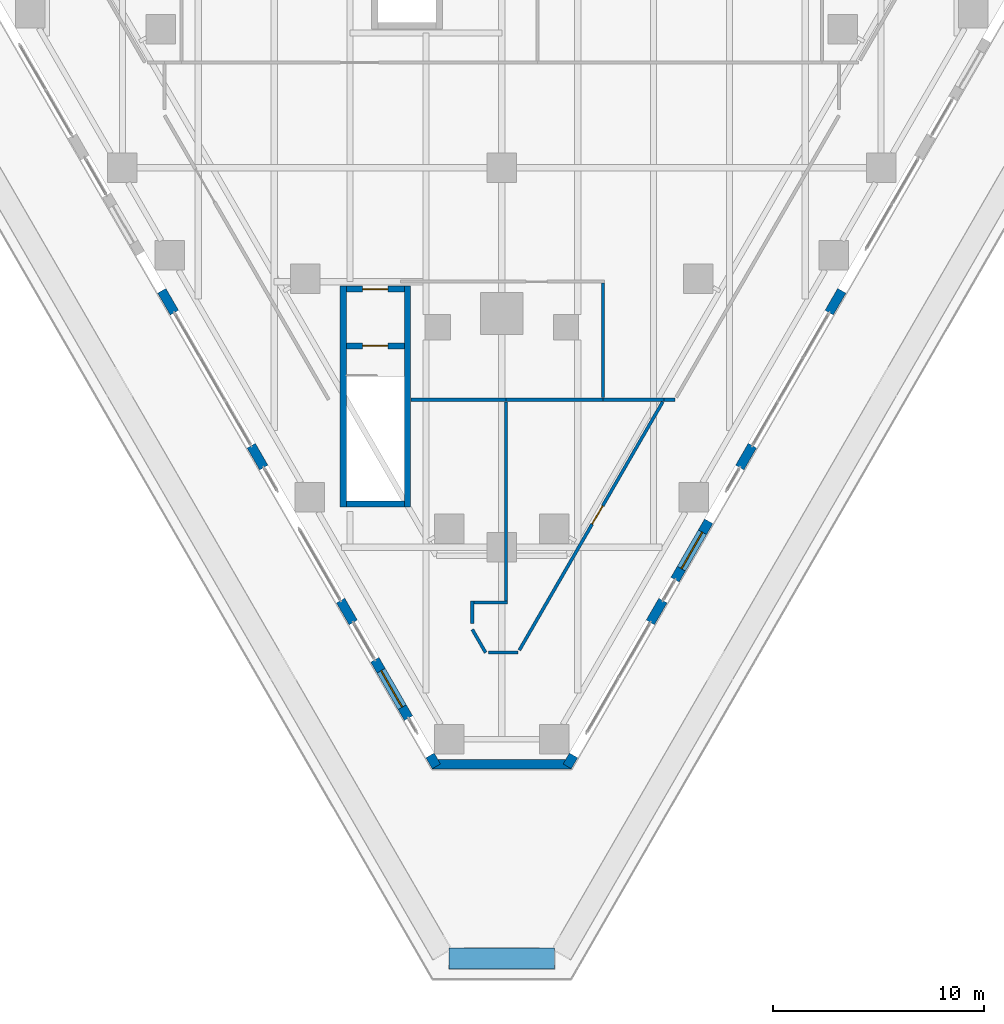
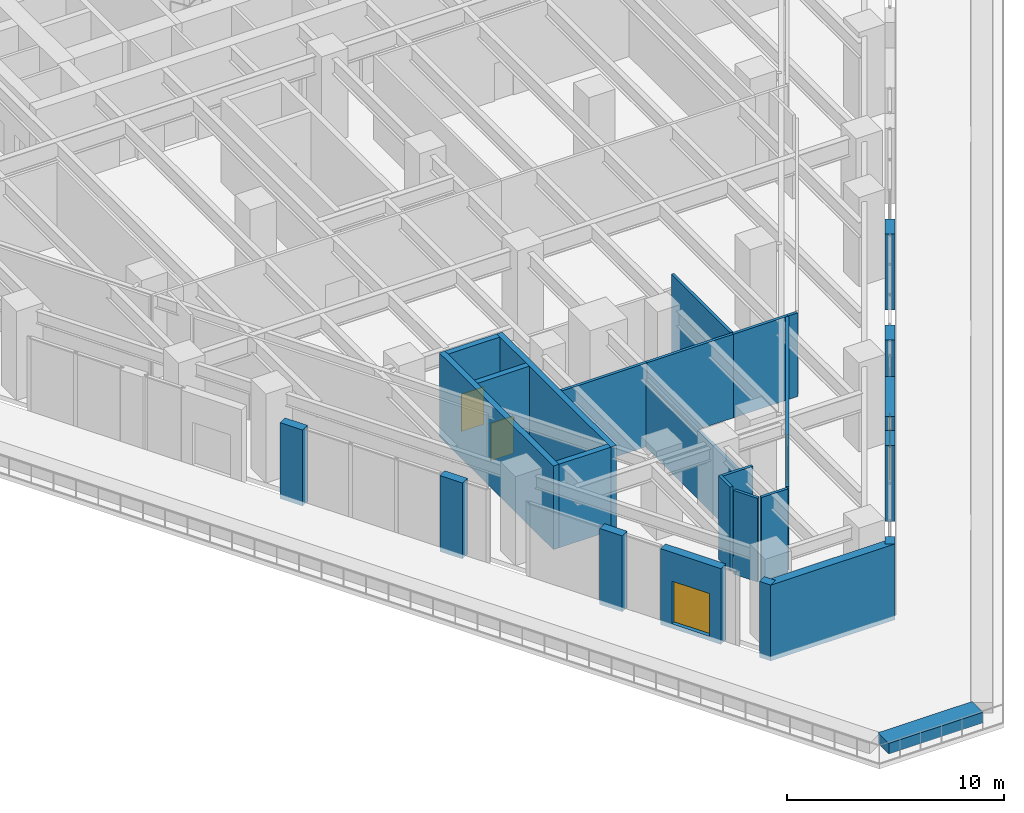
# One storey, part 21 of 31: 28 walls, 5 doors, 5 openings.
"""IFC4 building model written with IfcOpenShell, lengths in metres."""

import ifcopenshell
import ifcopenshell.guid

model = None  # the IFC model being written
_history = None  # IfcOwnerHistory: only IFC2X3 demands one
_inside = {}  # id of a spatial element -> (the spatial element, [elements in it])
_under = {}  # id of a project, library or spatial element -> (it, [spatial elements below it])
_declared = {}  # id of a project -> (the project, [libraries it declares])
_typed = {}  # id of a type object -> (the type object, [elements of that type])
_made_of = {}  # id of a material, layer set ... -> (it, [elements and type objects made of it])


def new_model(schema):
    """Start an empty IFC model of exactly this schema.

    Asked for "IFC4X3", IfcOpenShell would pick the latest addendum, in which some entities
    have other attributes; the version numbers below select the first issue.
    IFC2X3 requires an IfcOwnerHistory on every rooted entity: one is made here for all.
    """
    global model, _history
    if schema == "IFC4X3":
        model = ifcopenshell.file(schema_version=(4, 3, 0, 0))
    else:
        model = ifcopenshell.file(schema=schema)
    _inside.clear()
    _under.clear()
    _declared.clear()
    _typed.clear()
    _made_of.clear()
    _history = None
    if model.schema == "IFC2X3":
        org = make("IfcOrganization", Name="unknown")
        user = make(
            "IfcPersonAndOrganization",
            ThePerson=make("IfcPerson", FamilyName="unknown"),
            TheOrganization=org,
        )
        app = make(
            "IfcApplication",
            ApplicationDeveloper=org,
            Version="unknown",
            ApplicationFullName="unknown",
            ApplicationIdentifier="unknown",
        )
        _history = make(
            "IfcOwnerHistory",
            OwningUser=user,
            OwningApplication=app,
            ChangeAction="ADDED",
            CreationDate=0,
        )
    return model


def make(cls, **values):
    """One entity of the class cls with the attributes given. An attribute that is None is left unset."""
    return model.create_entity(
        cls, **{name: value for name, value in values.items() if value is not None}
    )


def rooted(cls, **values):
    """An entity with a GlobalId (a new one), such as an element, a storey or a relation."""
    return make(cls, GlobalId=ifcopenshell.guid.new(), OwnerHistory=_history, **values)


def si_unit(unit_type, name, prefix=None):
    """IfcSIUnit, for example si_unit("LENGTHUNIT", "METRE", prefix="MILLI")."""
    return make("IfcSIUnit", UnitType=unit_type, Prefix=prefix, Name=name)


def assignment(units):
    """IfcUnitAssignment: the units of a project."""
    return None if units is None else make("IfcUnitAssignment", Units=units)


def point(xyz):
    """IfcCartesianPoint."""
    return None if xyz is None else make("IfcCartesianPoint", Coordinates=xyz)


def direction(xyz):
    """IfcDirection."""
    return None if xyz is None else make("IfcDirection", DirectionRatios=xyz)


def frame(location, z_axis=None, x_axis=None):
    """IfcAxis2Placement3D, a coordinate frame: its origin and axes. An axis left out is left unset."""
    return make(
        "IfcAxis2Placement3D",
        Location=point(location),
        Axis=direction(z_axis),
        RefDirection=direction(x_axis),
    )


def frame_2d(location, x_axis=None):
    """IfcAxis2Placement2D, a coordinate frame in the plane: its origin and x axis."""
    return make(
        "IfcAxis2Placement2D", Location=point(location), RefDirection=direction(x_axis)
    )


def origin():
    """The frame at (0, 0, 0) with its axes left unset."""
    return frame((0.0, 0.0, 0.0))


def place(relative_to, where):
    """IfcLocalPlacement: puts the frame where relative to a parent placement (None: the world)."""
    return make(
        "IfcLocalPlacement", PlacementRelTo=relative_to, RelativePlacement=where
    )


def context(
    kind, dimensions, precision=None, world=None, true_north=None, identifier=None
):
    """IfcGeometricRepresentationContext, for example the 3D "Model" context."""
    return make(
        "IfcGeometricRepresentationContext",
        ContextIdentifier=identifier,
        ContextType=kind,
        CoordinateSpaceDimension=dimensions,
        Precision=precision,
        WorldCoordinateSystem=world,
        TrueNorth=true_north,
    )


def subcontext(parent, identifier, kind, view, scale=None):
    """IfcGeometricRepresentationSubContext, for example "Body" below "Model"."""
    return make(
        "IfcGeometricRepresentationSubContext",
        ContextIdentifier=identifier,
        ContextType=kind,
        ParentContext=parent,
        TargetScale=scale,
        TargetView=view,
    )


def project(units=None, contexts=None):
    """IfcProject with its units and contexts."""
    return rooted(
        "IfcProject",
        Name="project",
        RepresentationContexts=contexts,
        UnitsInContext=assignment(units),
    )


def spatial(cls, under=None, at=None, **own):
    """A site, building, storey or space (cls), placed at a placement, below another one or the project."""
    s = rooted(cls, ObjectPlacement=at, **own)
    if under is not None:
        _under.setdefault(under.id(), (under, []))[1].append(s)
    return s


def polyline(points):
    """IfcPolyline through the points."""
    return make("IfcPolyline", Points=[point(p) for p in points])


def profile(cls, at=None, kind="AREA", **sizes):
    """A parametric profile (cls). Its sizes go by their IFC names, for example OverallWidth=200.0."""
    return make(cls, ProfileType=kind, Position=at, **sizes)


def rectangle(**sizes):
    """IfcRectangleProfileDef."""
    return profile("IfcRectangleProfileDef", **sizes)


def outline(outer, holes=None, kind="AREA"):
    """IfcArbitraryClosedProfileDef: a profile drawn as a closed curve; with holes, ...WithVoids."""
    if holes is None:
        return make("IfcArbitraryClosedProfileDef", ProfileType=kind, OuterCurve=outer)
    return make(
        "IfcArbitraryProfileDefWithVoids",
        ProfileType=kind,
        OuterCurve=outer,
        InnerCurves=holes,
    )


def extrude(swept, where, along, depth):
    """IfcExtrudedAreaSolid: the profile swept, set in the frame where, extruded along a direction by depth."""
    return make(
        "IfcExtrudedAreaSolid",
        SweptArea=swept,
        Position=where,
        ExtrudedDirection=direction(along),
        Depth=depth,
    )


def shape(context_of_items, identifier, shape_type, items):
    """IfcShapeRepresentation: the items that make up one representation, for example the "Body"."""
    return make(
        "IfcShapeRepresentation",
        ContextOfItems=context_of_items,
        RepresentationIdentifier=identifier,
        RepresentationType=shape_type,
        Items=items,
    )


def material(Name=None, Category=None):
    """IfcMaterial."""
    return make("IfcMaterial", Name=Name, Category=Category)


def layer(
    of_material, thickness, ventilated=None, Name=None, Category=None, Priority=None
):
    """IfcMaterialLayer: one layer of a wall or slab, of a material (None: an air gap)."""
    return make(
        "IfcMaterialLayer",
        Material=of_material,
        LayerThickness=thickness,
        IsVentilated=ventilated,
        Name=Name,
        Category=Category,
        Priority=Priority,
    )


def layer_set(layers, Name=None):
    """IfcMaterialLayerSet."""
    return make("IfcMaterialLayerSet", MaterialLayers=layers, LayerSetName=Name)


def made_of(thing, what):
    """Note that an element or type object is made of a material, layer set ...; save() writes the relation."""
    if what is not None:
        _made_of.setdefault(what.id(), (what, []))[1].append(thing)
    return thing


def type_object(cls, material=None, **own):
    """A type object (cls), such as IfcWallType, which elements share."""
    return made_of(rooted(cls, **own), material)


def element(
    cls,
    number,
    at=None,
    inside=None,
    cuts=None,
    type_object=None,
    material=None,
    context=None,
    identifier="Body",
    shape_type=None,
    held_by="IfcProductDefinitionShape",
    body=None,
    shapes=None,
    **own,
):
    """One element of the class cls, such as IfcWall. Its Tag is "e" and its number.

    at: its placement. inside: the storey or other place that contains it. cuts: it is an
    opening in that element (IfcRelVoidsElement). A single representation is given by context,
    identifier, shape_type and body (its items); several are given by shapes. held_by: the class
    of the entity that holds the representations. save() writes the other relations.
    """
    e = rooted(cls, Tag="e%d" % number, ObjectPlacement=at, **own)
    if body is not None:
        shapes = [shape(context, identifier, shape_type, body)]
    if shapes is not None:
        e.Representation = make(held_by, Representations=shapes)
    if inside is not None:
        _inside.setdefault(inside.id(), (inside, []))[1].append(e)
    if cuts is not None:
        rooted(
            "IfcRelVoidsElement", RelatingBuildingElement=cuts, RelatedOpeningElement=e
        )
    if type_object is not None:
        _typed.setdefault(type_object.id(), (type_object, []))[1].append(e)
    return made_of(e, material)


def fill(opening, filler):
    """IfcRelFillsElement: the door or window that sits in an opening."""
    return rooted(
        "IfcRelFillsElement",
        RelatingOpeningElement=opening,
        RelatedBuildingElement=filler,
    )


def aggregate(whole, parts):
    """IfcRelAggregates: a whole, such as a stair, and the parts it consists of."""
    return rooted("IfcRelAggregates", RelatingObject=whole, RelatedObjects=parts)


def save(model, path):
    """Write the relations noted so far, then the file.

    IfcRelAggregates (storeys below a building ...), IfcRelContainedInSpatialStructure (elements
    in a storey), IfcRelDefinesByType, IfcRelAssociatesMaterial and IfcRelDeclares: one each for
    every whole, place, type object, material and project.
    """
    for whole, parts in _under.values():
        aggregate(whole, parts)
    for where, things in _inside.values():
        rooted(
            "IfcRelContainedInSpatialStructure",
            RelatedElements=things,
            RelatingStructure=where,
        )
    for kind, things in _typed.values():
        rooted("IfcRelDefinesByType", RelatedObjects=things, RelatingType=kind)
    for what, things in _made_of.values():
        rooted("IfcRelAssociatesMaterial", RelatedObjects=things, RelatingMaterial=what)
    for by, libraries in _declared.values():
        rooted("IfcRelDeclares", RelatingContext=by, RelatedDefinitions=libraries)
    model.write(path)


model = new_model("IFC4")

# Units and contexts
model_context = context("Model", 3, precision=1e-05, world=origin(), true_north=direction((0.0, 1.0)))
body_context = subcontext(model_context, "Body", "Model", "MODEL_VIEW")
ifc_project = project(units=[si_unit("LENGTHUNIT", "METRE"), si_unit("AREAUNIT", "SQUARE_METRE"), si_unit("VOLUMEUNIT", "CUBIC_METRE"), si_unit("PLANEANGLEUNIT", "RADIAN"), si_unit("MASSUNIT", "GRAM", prefix="KILO")], contexts=[model_context])

# Site, building, storey
site_placement = place(None, origin())
site = spatial("IfcSite", under=ifc_project, at=site_placement, CompositionType="ELEMENT")
building_placement = place(site_placement, origin())
building = spatial("IfcBuilding", under=site, at=building_placement, Name="Aloe Facet Convention Tower", CompositionType="ELEMENT")
storey_placement = place(building_placement, frame((0.0, 0.0, 25.0)))
storey = spatial("IfcBuildingStorey", under=building, at=storey_placement, Name="L04", CompositionType="ELEMENT", Elevation=25.0)

# Walls
ifc_material_1 = material(Name="Concrete C50/60", Category="concrete")
ifc_layer_1 = layer(ifc_material_1, 0.300048828125)
ifc_layer_set_1 = layer_set([ifc_layer_1], Name="CR-W-RC300-C5060")
wall_type_1 = type_object("IfcWallType", Name="CR-W-RC300-C5060", PredefinedType="SOLIDWALL", material=ifc_layer_set_1)
for number, where, z_axis, x_axis, name in (
    (1, (72.47509765625, 82.89990234375, 0.0), (0.0, 0.0, 1.0), (0.0, 1.0, 0.0), "Exit stair wall L04-01"),
    (2, (75.52490234375, 82.89990234375, 0.0), (0.0, 0.0, 1.0), (0.0, 1.0, 0.0), "Exit stair wall L04-02"),
):
    element("IfcWall", number, at=place(storey_placement, frame(where, z_axis=z_axis, x_axis=x_axis)), inside=storey, type_object=wall_type_1, Name=name, PredefinedType="SOLIDWALL", context=body_context, shape_type="SweptSolid", body=[
        extrude(rectangle(XDim=10.5, YDim=0.300048828125, at=frame_2d((5.25, 0.0))), origin(), (0.0, 0.0, 1.0), 4.699951171875),
    ])
wall_1_placement = place(storey_placement, frame((72.625, 83.050048828125, 0.0), z_axis=(0.0, 0.0, 1.0), x_axis=(1.0, 0.0, 0.0)))
element("IfcWall", 3, at=wall_1_placement, inside=storey, type_object=wall_type_1, Name="Exit stair wall L04-03", PredefinedType="SOLIDWALL", context=body_context, shape_type="SweptSolid", body=[
    extrude(rectangle(XDim=2.75, YDim=0.300048828125, at=frame_2d((1.375, 0.0))), origin(), (0.0, 0.0, 1.0), 4.699951171875),
])

# Wall, opening, door
wall_2_placement = place(storey_placement, frame((72.625, 90.550048828125, 0.0), z_axis=(0.0, 0.0, 1.0), x_axis=(1.0, 0.0, 0.0)))
wall_2 = element("IfcWall", 4, at=wall_2_placement, inside=storey, type_object=wall_type_1, Name="Exit stair wall L04-04", PredefinedType="SOLIDWALL", context=body_context, shape_type="SweptSolid", body=[
    extrude(rectangle(XDim=2.75, YDim=0.300048828125, at=frame_2d((1.375, 0.0))), origin(), (0.0, 0.0, 1.0), 4.699951171875),
])
opening_1_placement = place(wall_2_placement, frame((0.77490234375, 0.0, 0.0)))
opening_1 = element("IfcOpeningElement", 5, at=opening_1_placement, cuts=wall_2, Name="Opening L04-ST4-01", PredefinedType="OPENING", context=body_context, shape_type="SweptSolid", body=[
    extrude(rectangle(XDim=1.199951171875, YDim=2.10009765625, at=frame_2d((0.60009765625, 1.050048828125))), frame((0.0, 0.16015625, 0.0), z_axis=(0.0, -1.0, 0.0), x_axis=(1.0, 0.0, 0.0)), (0.0, 0.0, 1.0), 0.320068359375),
])
ifc_material_2 = material(Name="Steel fire-resisting door set FD120", Category="steel")
door_type_1 = type_object("IfcDoorType", Name="CR-D-STAIR-1200-FD120-SLEFT", OperationType="SINGLE_SWING_LEFT", PredefinedType="DOOR", material=ifc_material_2)
door_1_placement = place(opening_1_placement, origin())
door_1 = element("IfcDoor", 6, at=door_1_placement, inside=storey, type_object=door_type_1, Name="Stair door L04-ST4-01", OperationType="SINGLE_SWING_LEFT", OverallHeight=2.10009765625, OverallWidth=1.199951171875, PredefinedType="DOOR", context=body_context, shape_type="SweptSolid", body=[
    extrude(rectangle(XDim=1.199951171875, YDim=2.10009765625, at=frame_2d((0.60009765625, 1.050048828125))), frame((0.0, 0.02490234375, 0.0), z_axis=(0.0, -1.0, 0.0), x_axis=(1.0, 0.0, 0.0)), (0.0, 0.0, 1.0), 0.050048828125),
])
fill(opening_1, door_1)

wall_3_placement = place(storey_placement, frame((72.625, 93.25, 0.0), z_axis=(0.0, 0.0, 1.0), x_axis=(1.0, 0.0, 0.0)))
wall_3 = element("IfcWall", 7, at=wall_3_placement, inside=storey, type_object=wall_type_1, Name="Exit stair wall L04-05", PredefinedType="SOLIDWALL", context=body_context, shape_type="SweptSolid", body=[
    extrude(rectangle(XDim=2.75, YDim=0.300048828125, at=frame_2d((1.375, 0.0))), origin(), (0.0, 0.0, 1.0), 4.699951171875),
])
opening_2_placement = place(wall_3_placement, frame((0.77490234375, 0.0, 0.0)))
opening_2 = element("IfcOpeningElement", 8, at=opening_2_placement, cuts=wall_3, Name="Opening L04-ST4-02", PredefinedType="OPENING", context=body_context, shape_type="SweptSolid", body=[
    extrude(rectangle(XDim=1.199951171875, YDim=2.10009765625, at=frame_2d((0.60009765625, 1.050048828125))), frame((0.0, 0.16015625, 0.0), z_axis=(0.0, -1.0, 0.0), x_axis=(1.0, 0.0, 0.0)), (0.0, 0.0, 1.0), 0.320068359375),
])
ifc_material_3 = material(Name="Steel fire-resisting door set FD60", Category="steel")
door_type_2 = type_object("IfcDoorType", Name="CR-D-EXIT-1200-FD60-SRIGHT", OperationType="SINGLE_SWING_RIGHT", PredefinedType="DOOR", material=ifc_material_3)
door_2_placement = place(opening_2_placement, origin())
door_2 = element("IfcDoor", 9, at=door_2_placement, inside=storey, type_object=door_type_2, Name="Stair lobby door L04-ST4-02", OperationType="SINGLE_SWING_RIGHT", OverallHeight=2.10009765625, OverallWidth=1.199951171875, PredefinedType="DOOR", context=body_context, shape_type="SweptSolid", body=[
    extrude(rectangle(XDim=1.199951171875, YDim=2.10009765625, at=frame_2d((0.60009765625, 1.050048828125))), frame((0.0, 0.02490234375, 0.0), z_axis=(0.0, -1.0, 0.0), x_axis=(1.0, 0.0, 0.0)), (0.0, 0.0, 1.0), 0.050048828125),
])
fill(opening_2, door_2)

# Walls
ifc_material_4 = material(Name="Precast concrete C40/50", Category="concrete")
ifc_layer_2 = layer(ifc_material_4, 1.0)
ifc_layer_set_2 = layer_set([ifc_layer_2], Name="EV-PLANTER-BED")
wall_type_2 = type_object("IfcWallType", Name="EV-PLANTER-BED", PredefinedType="STANDARD", material=ifc_layer_set_2)
wall_4_placement = place(storey_placement, frame((82.5, 61.486328125, 0.0), z_axis=(0.0, 0.0, 1.0), x_axis=(-1.0, 0.0, 0.0)))
element("IfcWall", 10, at=wall_4_placement, inside=storey, type_object=wall_type_2, Name="PLANTER PT-L04-1-3", PredefinedType="STANDARD", context=body_context, shape_type="SweptSolid", body=[
    extrude(rectangle(XDim=5.0, YDim=1.0, at=frame_2d((2.5, 0.0))), origin(), (0.0, 0.0, 1.0), 0.60009765625),
])
ifc_material_5 = material(Name="Precast concrete C40/50", Category="concrete")
ifc_layer_3 = layer(ifc_material_5, 0.449951171875)
ifc_layer_set_3 = layer_set([ifc_layer_3], Name="EV-WALL-PIER")
wall_type_3 = type_object("IfcWallType", Name="EV-WALL-PIER", PredefinedType="SOLIDWALL", material=ifc_layer_set_3)
wall_5_placement = place(storey_placement, frame((0.0, 0.0, -0.25)))
element("IfcWall", 11, at=wall_5_placement, inside=storey, type_object=wall_type_3, Name="EP-L04-B", PredefinedType="SOLIDWALL", context=body_context, shape_type="SweptSolid", body=[
    extrude(outline(polyline([(76.699951171875, 70.486328125), (77.089599609375, 70.711181640625), (76.959716796875, 70.936279296875), (83.040283203125, 70.936279296875), (82.910400390625, 70.711181640625), (83.300048828125, 70.486328125), (76.699951171875, 70.486328125)])), origin(), (0.0, 0.0, 1.0), 4.262451171875),
])
ifc_material_6 = material(Name="Precast concrete C40/50", Category="concrete")
ifc_layer_4 = layer(ifc_material_6, 0.449951171875)
ifc_layer_set_4 = layer_set([ifc_layer_4], Name="EV-WALL-STONE")
wall_type_4 = type_object("IfcWallType", Name="EV-WALL-STONE", PredefinedType="SOLIDWALL", material=ifc_layer_set_4)
wall_6_placement = place(storey_placement, frame((63.86474609375, 93.167724609375, -0.25), z_axis=(0.0, 0.0, 1.0), x_axis=(0.500033551112, -0.866006032174, 0.0)))
element("IfcWall", 12, at=wall_6_placement, inside=storey, type_object=wall_type_4, Name="PW-L04-W11", PredefinedType="SOLIDWALL", context=body_context, shape_type="SweptSolid", body=[
    extrude(rectangle(XDim=1.2001953125, YDim=0.449951171875, at=frame_2d((0.60009765625, 0.0))), origin(), (0.0, 0.0, 1.0), 4.262451171875),
])
for number, where, z_axis, x_axis, name in (
    (13, (68.108154296875, 85.81787109375, -0.25), (0.0, 0.0, 1.0), (0.499880961361, -0.866094119867, 0.0), "PW-L04-W13"),
    (14, (72.3515625, 78.46826171875, -0.25), (0.0, 0.0, 1.0), (0.499880961361, -0.866094119867, 0.0), "PW-L04-W15"),
):
    element("IfcWall", number, at=place(storey_placement, frame(where, z_axis=z_axis, x_axis=x_axis)), inside=storey, type_object=wall_type_4, Name=name, PredefinedType="SOLIDWALL", context=body_context, shape_type="SweptSolid", body=[
        extrude(rectangle(XDim=1.199951171875, YDim=0.449951171875, at=frame_2d((0.60009765625, 0.0))), origin(), (0.0, 0.0, 1.0), 4.262451171875),
    ])

# Wall, opening, door
wall_7_placement = place(storey_placement, frame((73.97314453125, 75.659423828125, -0.25), z_axis=(0.0, 0.0, 1.0), x_axis=(0.499995408039, -0.866028054938, 0.0)))
wall_7 = element("IfcWall", 15, at=wall_7_placement, inside=storey, type_object=wall_type_4, Name="PW-L04-W16", PredefinedType="SOLIDWALL", context=body_context, shape_type="SweptSolid", body=[
    extrude(rectangle(XDim=3.2001953125, YDim=0.449951171875, at=frame_2d((1.60009765625, 0.0))), origin(), (0.0, 0.0, 1.0), 4.262451171875),
])
opening_3_placement = place(wall_7_placement, frame((0.60009765625, 0.0, 0.25)))
opening_3 = element("IfcOpeningElement", 16, at=opening_3_placement, cuts=wall_7, Name="Opening D-L04-W16", PredefinedType="OPENING", context=body_context, shape_type="SweptSolid", body=[
    extrude(rectangle(XDim=2.0, YDim=2.39990234375, at=frame_2d((1.0, 1.199951171875))), frame((0.0, 0.23486328125, 0.0), z_axis=(0.0, -1.0, 0.0), x_axis=(1.0, 0.0, 0.0)), (0.0, 0.0, 1.0), 0.469970703125),
])
ifc_material_7 = material(Name="Aluminium frame, clear double glazing", Category="aluminium")
door_type_3 = type_object("IfcDoorType", Name="EV-DOOR-HALL", OperationType="DOUBLE_DOOR_SINGLE_SWING", PredefinedType="DOOR", material=ifc_material_7)
door_3_placement = place(opening_3_placement, origin())
door_3 = element("IfcDoor", 17, at=door_3_placement, inside=storey, type_object=door_type_3, Name="D-L04-W16", OperationType="DOUBLE_DOOR_SINGLE_SWING", OverallHeight=2.39990234375, OverallWidth=2.0, PredefinedType="DOOR", context=body_context, shape_type="SweptSolid", body=[
    extrude(rectangle(XDim=2.0, YDim=2.39990234375, at=frame_2d((1.0, 1.199951171875))), frame((0.0, 0.02490234375, 0.0), z_axis=(0.0, -1.0, 0.0), x_axis=(1.0, 0.0, 0.0)), (0.0, 0.0, 1.0), 0.050048828125),
])
fill(opening_3, door_3)

# Walls
for number, where, z_axis, x_axis, name in (
    (18, (76.594970703125, 71.118408203125, -0.25), (0.0, 0.0, 1.0), (0.499816412211, -0.866131372301, 0.0), "PW-L04-W17"),
    (19, (83.105224609375, 70.598876953125, -0.25), (0.0, 0.0, 1.0), (0.499816412211, 0.866131372301, 0.0), "PW-L04-E01"),
):
    element("IfcWall", number, at=place(storey_placement, frame(where, z_axis=z_axis, x_axis=x_axis)), inside=storey, type_object=wall_type_4, Name=name, PredefinedType="SOLIDWALL", context=body_context, shape_type="SweptSolid", body=[
        extrude(rectangle(XDim=0.599853515625, YDim=0.449951171875, at=frame_2d((0.2998046875, 0.0))), origin(), (0.0, 0.0, 1.0), 4.262451171875),
    ])
wall_8_placement = place(storey_placement, frame((87.048583984375, 77.428955078125, -0.25), z_axis=(0.0, 0.0, 1.0), x_axis=(0.499880961361, 0.866094119867, 0.0)))
element("IfcWall", 20, at=wall_8_placement, inside=storey, type_object=wall_type_4, Name="PW-L04-E03", PredefinedType="SOLIDWALL", context=body_context, shape_type="SweptSolid", body=[
    extrude(rectangle(XDim=1.199951171875, YDim=0.449951171875, at=frame_2d((0.60009765625, 0.0))), origin(), (0.0, 0.0, 1.0), 4.262451171875),
])

# Wall, opening, door
wall_9_placement = place(storey_placement, frame((88.22021484375, 79.458251953125, -0.25), z_axis=(0.0, 0.0, 1.0), x_axis=(0.499995408039, 0.866028054938, 0.0)))
wall_9 = element("IfcWall", 21, at=wall_9_placement, inside=storey, type_object=wall_type_4, Name="PW-L04-E04", PredefinedType="SOLIDWALL", context=body_context, shape_type="SweptSolid", body=[
    extrude(rectangle(XDim=3.2001953125, YDim=0.449951171875, at=frame_2d((1.60009765625, 0.0))), origin(), (0.0, 0.0, 1.0), 4.262451171875),
])
opening_4_placement = place(wall_9_placement, frame((0.60009765625, 0.0, 0.25)))
opening_4 = element("IfcOpeningElement", 22, at=opening_4_placement, cuts=wall_9, Name="Opening D-L04-E04", PredefinedType="OPENING", context=body_context, shape_type="SweptSolid", body=[
    extrude(rectangle(XDim=2.0, YDim=2.39990234375, at=frame_2d((1.0, 1.199951171875))), frame((0.0, 0.23486328125, 0.0), z_axis=(0.0, -1.0, 0.0), x_axis=(1.0, 0.0, 0.0)), (0.0, 0.0, 1.0), 0.469970703125),
])
door_4_placement = place(opening_4_placement, origin())
door_4 = element("IfcDoor", 23, at=door_4_placement, inside=storey, type_object=door_type_3, Name="D-L04-E04", OperationType="DOUBLE_DOOR_SINGLE_SWING", OverallHeight=2.39990234375, OverallWidth=2.0, PredefinedType="DOOR", context=body_context, shape_type="SweptSolid", body=[
    extrude(rectangle(XDim=2.0, YDim=2.39990234375, at=frame_2d((1.0, 1.199951171875))), frame((0.0, 0.02490234375, 0.0), z_axis=(0.0, -1.0, 0.0), x_axis=(1.0, 0.0, 0.0)), (0.0, 0.0, 1.0), 0.050048828125),
])
fill(opening_4, door_4)

# Walls
wall_10_placement = place(storey_placement, frame((91.2919921875, 84.778564453125, -0.25), z_axis=(0.0, 0.0, 1.0), x_axis=(0.499880961361, 0.866094119867, 0.0)))
element("IfcWall", 24, at=wall_10_placement, inside=storey, type_object=wall_type_4, Name="PW-L04-E05", PredefinedType="SOLIDWALL", context=body_context, shape_type="SweptSolid", body=[
    extrude(rectangle(XDim=1.199951171875, YDim=0.449951171875, at=frame_2d((0.60009765625, 0.0))), origin(), (0.0, 0.0, 1.0), 4.262451171875),
])
wall_11_placement = place(storey_placement, frame((95.53515625, 92.12841796875, -0.25), z_axis=(0.0, 0.0, 1.0), x_axis=(0.500033551112, 0.866006032174, 0.0)))
element("IfcWall", 25, at=wall_11_placement, inside=storey, type_object=wall_type_4, Name="PW-L04-E07", PredefinedType="SOLIDWALL", context=body_context, shape_type="SweptSolid", body=[
    extrude(rectangle(XDim=1.2001953125, YDim=0.449951171875, at=frame_2d((0.60009765625, 0.0))), origin(), (0.0, 0.0, 1.0), 4.262451171875),
])
ifc_material_8 = material(Name="Gypsum board partition on steel studs, double layer", Category="steel")
ifc_layer_5 = layer(ifc_material_8, 0.14990234375)
ifc_layer_set_5 = layer_set([ifc_layer_5], Name="IN-POD-W-CORR")
wall_type_5 = type_object("IfcWallType", Name="IN-POD-W-CORR", PredefinedType="PARTITIONING", material=ifc_layer_set_5)
wall_12_placement = place(storey_placement, frame((78.60009765625, 77.095458984375, 0.0), z_axis=(0.0, 0.0, 1.0), x_axis=(0.49991738717, -0.86607309507, 0.0)))
element("IfcWall", 26, at=wall_12_placement, inside=storey, type_object=wall_type_5, Name="Partition L04-W001", PredefinedType="PARTITIONING", context=body_context, shape_type="SweptSolid", body=[
    extrude(rectangle(XDim=1.264892578125, YDim=0.14990234375, at=frame_2d((0.63232421875, 0.0))), origin(), (0.0, 0.0, 1.0), 4.699951171875),
])
wall_13_placement = place(storey_placement, frame((79.3623046875, 76.0, 0.0), z_axis=(0.0, 0.0, 1.0), x_axis=(1.0, 0.0, 0.0)))
element("IfcWall", 27, at=wall_13_placement, inside=storey, type_object=wall_type_5, Name="Partition L04-W002", PredefinedType="PARTITIONING", context=body_context, shape_type="SweptSolid", body=[
    extrude(rectangle(XDim=1.4052734375, YDim=0.14990234375, at=frame_2d((0.70263671875, 0.0))), origin(), (0.0, 0.0, 1.0), 4.699951171875),
])
wall_14_placement = place(storey_placement, frame((78.60009765625, 77.375244140625, 0.0), z_axis=(0.0, 0.0, 1.0), x_axis=(0.0, 1.0, 0.0)))
element("IfcWall", 28, at=wall_14_placement, inside=storey, type_object=wall_type_5, Name="Partition L04-W003", PredefinedType="PARTITIONING", context=body_context, shape_type="SweptSolid", body=[
    extrude(rectangle(XDim=1.079833984375, YDim=0.14990234375, at=frame_2d((0.5400390625, 0.0))), origin(), (0.0, 0.0, 1.0), 4.699951171875),
])
wall_15_placement = place(storey_placement, frame((78.675048828125, 78.3798828125, 0.0), z_axis=(0.0, 0.0, 1.0), x_axis=(1.0, 0.0, 0.0)))
element("IfcWall", 29, at=wall_15_placement, inside=storey, type_object=wall_type_5, Name="Partition L04-W004", PredefinedType="PARTITIONING", context=body_context, shape_type="SweptSolid", body=[
    extrude(rectangle(XDim=1.594970703125, YDim=0.14990234375, at=frame_2d((0.79736328125, 0.0))), origin(), (0.0, 0.0, 1.0), 4.699951171875),
])
wall_16_placement = place(storey_placement, frame((80.195068359375, 78.455078125, 0.0), z_axis=(0.0, 0.0, 1.0), x_axis=(0.0, 1.0, 0.0)))
element("IfcWall", 30, at=wall_16_placement, inside=storey, type_object=wall_type_5, Name="Partition L04-W005", PredefinedType="PARTITIONING", context=body_context, shape_type="SweptSolid", body=[
    extrude(rectangle(XDim=9.44482421875, YDim=0.14990234375, at=frame_2d((4.722412109375, 0.0))), origin(), (0.0, 0.0, 1.0), 3.839111328125),
])
wall_17_placement = place(storey_placement, frame((80.195068359375, 88.0, 0.0), z_axis=(0.0, 0.0, 1.0), x_axis=(1.0, 0.0, 0.0)))
element("IfcWall", 31, at=wall_17_placement, inside=storey, type_object=wall_type_5, Name="Partition L04-W007", PredefinedType="PARTITIONING", context=body_context, shape_type="SweptSolid", body=[
    extrude(rectangle(XDim=4.60498046875, YDim=0.14990234375, at=frame_2d((2.302490234375, 0.0))), origin(), (0.0, 0.0, 1.0), 4.699951171875),
])
wall_18_placement = place(storey_placement, frame((75.695068359375, 88.0, 0.0), z_axis=(0.0, 0.0, 1.0), x_axis=(1.0, 0.0, 0.0)))
element("IfcWall", 32, at=wall_18_placement, inside=storey, type_object=wall_type_5, Name="Partition L04-W008", PredefinedType="PARTITIONING", context=body_context, shape_type="SweptSolid", body=[
    extrude(rectangle(XDim=4.5, YDim=0.14990234375, at=frame_2d((2.25, 0.0))), origin(), (0.0, 0.0, 1.0), 4.699951171875),
])
wall_19_placement = place(storey_placement, frame((84.800048828125, 88.0, 0.0), z_axis=(0.0, 0.0, 1.0), x_axis=(1.0, 0.0, 0.0)))
element("IfcWall", 33, at=wall_19_placement, inside=storey, type_object=wall_type_5, Name="Partition L04-W009", PredefinedType="PARTITIONING", context=body_context, shape_type="SweptSolid", body=[
    extrude(rectangle(XDim=2.895751953125, YDim=0.14990234375, at=frame_2d((1.44775390625, 0.0))), origin(), (0.0, 0.0, 1.0), 4.699951171875),
])

# Wall, opening, door
wall_20_placement = place(storey_placement, frame((80.83251953125, 76.112548828125, 0.0), z_axis=(0.0, 0.0, 1.0), x_axis=(0.499997268533, 0.866026980792, 0.0)))
wall_20 = element("IfcWall", 34, at=wall_20_placement, inside=storey, type_object=wall_type_5, Name="Partition L04-W010", PredefinedType="PARTITIONING", context=body_context, shape_type="SweptSolid", body=[
    extrude(rectangle(XDim=13.611328125, YDim=0.14990234375, at=frame_2d((6.8056640625, 0.0))), origin(), (0.0, 0.0, 1.0), 4.699951171875),
])
opening_5_placement = place(wall_20_placement, frame((6.90625, 0.0, 0.0)))
opening_5 = element("IfcOpeningElement", 35, at=opening_5_placement, cuts=wall_20, Name="Opening L04-013", PredefinedType="OPENING", context=body_context, shape_type="SweptSolid", body=[
    extrude(rectangle(XDim=1.0, YDim=2.10009765625, at=frame_2d((0.5, 1.050048828125))), frame((0.0, 0.0849609375, 0.0), z_axis=(0.0, -1.0, 0.0), x_axis=(1.0, 0.0, 0.0)), (0.0, 0.0, 1.0), 0.169921875),
])
ifc_material_9 = material(Name="Hardwood flush door", Category="wood")
door_type_4 = type_object("IfcDoorType", Name="IN-POD-D-WIDE", OperationType="SINGLE_SWING_LEFT", PredefinedType="DOOR", material=ifc_material_9)
door_5_placement = place(opening_5_placement, origin())
door_5 = element("IfcDoor", 36, at=door_5_placement, inside=storey, type_object=door_type_4, Name="Door L04-013", OperationType="SINGLE_SWING_LEFT", OverallHeight=2.10009765625, OverallWidth=1.0, PredefinedType="DOOR", context=body_context, shape_type="SweptSolid", body=[
    extrude(rectangle(XDim=1.0, YDim=2.10009765625, at=frame_2d((0.5, 1.050048828125))), frame((0.0, 0.02490234375, 0.0), z_axis=(0.0, -1.0, 0.0), x_axis=(1.0, 0.0, 0.0)), (0.0, 0.0, 1.0), 0.050048828125),
])
fill(opening_5, door_5)

# Walls
wall_21_placement = place(storey_placement, frame((87.69580078125, 88.0, 0.0), z_axis=(0.0, 0.0, 1.0), x_axis=(1.0, 0.0, 0.0)))
element("IfcWall", 37, at=wall_21_placement, inside=storey, type_object=wall_type_5, Name="Partition L04-W011", PredefinedType="PARTITIONING", context=body_context, shape_type="SweptSolid", body=[
    extrude(rectangle(XDim=0.51953125, YDim=0.14990234375, at=frame_2d((0.259765625, 0.0))), origin(), (0.0, 0.0, 1.0), 4.699951171875),
])
wall_22_placement = place(storey_placement, frame((84.800048828125, 88.10009765625, 0.0), z_axis=(0.0, 0.0, 1.0), x_axis=(0.0, 1.0, 0.0)))
element("IfcWall", 38, at=wall_22_placement, inside=storey, type_object=wall_type_5, Name="Partition L04-W014", PredefinedType="PARTITIONING", context=body_context, shape_type="SweptSolid", body=[
    extrude(rectangle(XDim=5.4248046875, YDim=0.14990234375, at=frame_2d((2.71240234375, 0.0))), origin(), (0.0, 0.0, 1.0), 4.699951171875),
])

save(model, "model.ifc")
